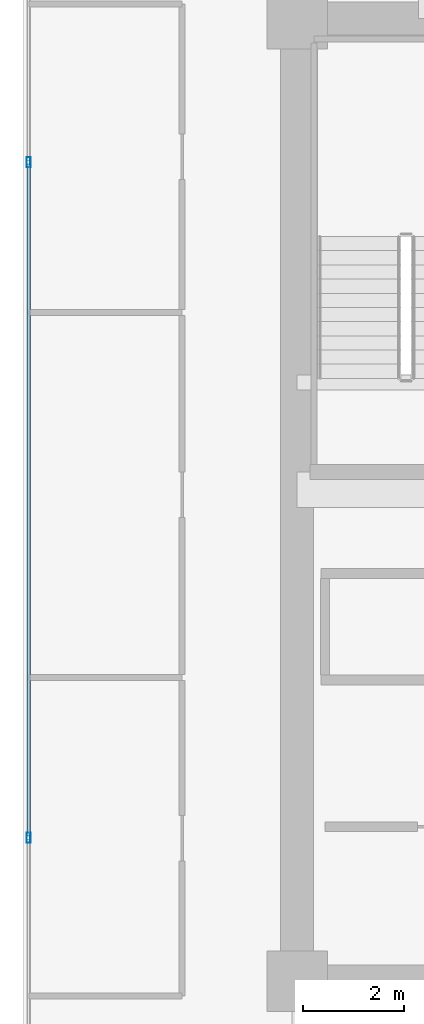
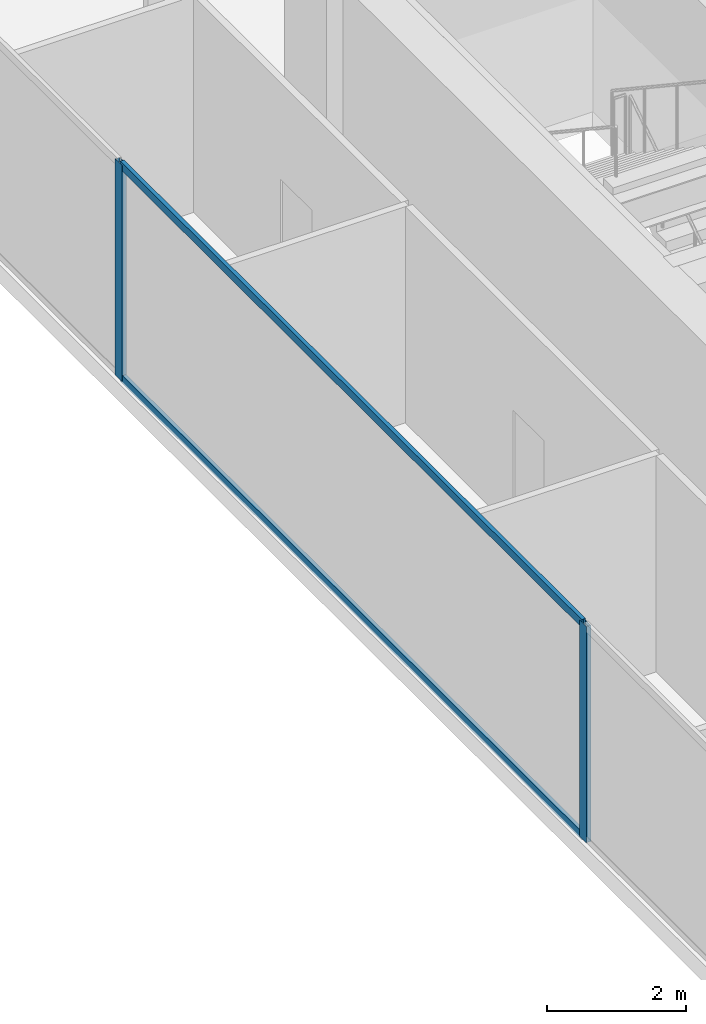
# One storey, part 6 of 30: 4 members, 1 element without a shape of its own.
"""IFC4 building model written with IfcOpenShell, lengths in metres."""

from ifc_helpers import new_model, si_unit, direction, frame, origin, origin_2d, place, context, subcontext, project, spatial, hollow_rectangle, extrude, source, transform, mapped, material, layer, layer_set, material_profile, profile_set, type_object, type_shapes, element, aggregate, save


model = new_model("IFC4")

# Units and contexts
model_context = context("Model", 3, precision=1e-05, world=origin(), true_north=direction((0.0, 1.0)))
body_context = subcontext(model_context, "Body", "Model", "MODEL_VIEW")
ifc_project = project(units=[si_unit("LENGTHUNIT", "METRE"), si_unit("AREAUNIT", "SQUARE_METRE"), si_unit("VOLUMEUNIT", "CUBIC_METRE"), si_unit("PLANEANGLEUNIT", "RADIAN"), si_unit("MASSUNIT", "GRAM", prefix="KILO")], contexts=[model_context])

# Site, building, storey
site_placement = place(None, origin())
site = spatial("IfcSite", under=ifc_project, at=site_placement, CompositionType="ELEMENT")
building_placement = place(site_placement, origin())
building = spatial("IfcBuilding", under=site, at=building_placement, Name="Haelvirn Gate Laboratories", CompositionType="ELEMENT")
storey_placement = place(building_placement, frame((0.0, 0.0, 113.300048828125)))
storey = spatial("IfcBuildingStorey", under=building, at=storey_placement, Name="L27", CompositionType="ELEMENT", Elevation=113.300048828125)

# Curtain wall, members
ifc_material_1 = material(Name="Anodised bronze unitised aluminium & triple low-E glass", Category="aluminium")
ifc_layer = layer(ifc_material_1, 0.179931640625, Name="CW-SYS-3")
ifc_layer_set = layer_set([ifc_layer], Name="Anodised bronze unitised aluminium & triple low-E glass")
curtain_wall_type = type_object("IfcCurtainWallType", Name="CW-SYS-3", PredefinedType="NOTDEFINED", material=ifc_layer_set)
curtain_wall_placement = place(storey_placement, origin())
curtain_wall = element("IfcCurtainWall", 1, at=curtain_wall_placement, inside=storey, type_object=curtain_wall_type, Name="L27 Unitised Curtain Wall CW-L27-P0-E17", PredefinedType="NOTDEFINED")
ifc_material_2 = material(Name="Extruded aluminium 6063-T6 (anodised bronze)", Category="aluminium")
ifc_material_profile_1 = material_profile(ifc_material_2, hollow_rectangle(XDim=0.06494140625, YDim=0.139892578125, WallThickness=0.00390625, at=origin_2d()), Name="CWT-140x65x4")
ifc_profile_set_1 = profile_set([ifc_material_profile_1], Name="Extruded aluminium 6063-T6 (anodised bronze)")
member_type_1 = type_object("IfcMemberType", Name="CWT-T140", PredefinedType="USERDEFINED", material=ifc_profile_set_1)
shared_shape_1 = source(origin(), body_context, "Body", "SweptSolid", [
    extrude(hollow_rectangle(XDim=0.06494140625, YDim=0.139892578125, WallThickness=0.00390625, at=origin_2d()), origin(), (0.0, 0.0, 1.0), 13.25830078125),
])
type_shapes(member_type_1, [shared_shape_1])
member_1_placement = place(storey_placement, frame((2.10009765625, 30.92919921875, 0.032470703125), z_axis=(0.0, -1.0, 0.0), x_axis=(1.0, 0.0, 0.0)))
member_1 = element("IfcMember", 2, at=member_1_placement, type_object=member_type_1, Name="CW3 transom 2.1", ObjectType="TRANSOM", PredefinedType="USERDEFINED", context=body_context, shape_type="MappedRepresentation", body=[
    mapped(shared_shape_1, transform((0.0, 0.0, 0.0), scale=1.0)),
])
member_2_placement = place(storey_placement, frame((2.10009765625, 30.92919921875, 3.757568359375), z_axis=(0.0, -1.0, 0.0), x_axis=(1.0, 0.0, 0.0)))
member_2 = element("IfcMember", 3, at=member_2_placement, type_object=member_type_1, Name="CW3 transom 2.2", ObjectType="TRANSOM", PredefinedType="USERDEFINED", context=body_context, shape_type="MappedRepresentation", body=[
    mapped(shared_shape_1, transform((0.0, 0.0, 0.0), scale=1.0)),
])
ifc_material_profile_2 = material_profile(ifc_material_2, hollow_rectangle(XDim=0.074951171875, YDim=0.199951171875, WallThickness=0.0048828125, at=origin_2d()), Name="CWM-200x75x5")
ifc_profile_set_2 = profile_set([ifc_material_profile_2], Name="Extruded aluminium 6063-T6 (anodised bronze)")
member_type_2 = type_object("IfcMemberType", Name="CWM-T200", PredefinedType="MULLION", material=ifc_profile_set_2)
shared_shape_2 = source(origin(), body_context, "Body", "SweptSolid", [
    extrude(hollow_rectangle(XDim=0.074951171875, YDim=0.199951171875, WallThickness=0.0048828125, at=origin_2d()), origin(), (0.0, 0.0, 1.0), 3.7900390625),
])
type_shapes(member_type_2, [shared_shape_2])
member_3_placement = place(storey_placement, frame((2.10009765625, 30.966552734375, 0.0), z_axis=(0.0, 0.0, 1.0), x_axis=(1.0, 0.0, 0.0)))
member_3 = element("IfcMember", 4, at=member_3_placement, type_object=member_type_2, Name="CW3 mullion 2", PredefinedType="MULLION", context=body_context, shape_type="MappedRepresentation", body=[
    mapped(shared_shape_2, transform((0.0, 0.0, 0.0), scale=1.0)),
])
member_4_placement = place(storey_placement, frame((2.10009765625, 17.63330078125, 0.0), z_axis=(0.0, 0.0, 1.0), x_axis=(1.0, 0.0, 0.0)))
member_4 = element("IfcMember", 5, at=member_4_placement, type_object=member_type_2, Name="CW3 mullion 3", PredefinedType="MULLION", context=body_context, shape_type="MappedRepresentation", body=[
    mapped(shared_shape_2, transform((0.0, 0.0, 0.0), scale=1.0)),
])
aggregate(curtain_wall, [member_3, member_4, member_1, member_2])

save(model, "model.ifc")
